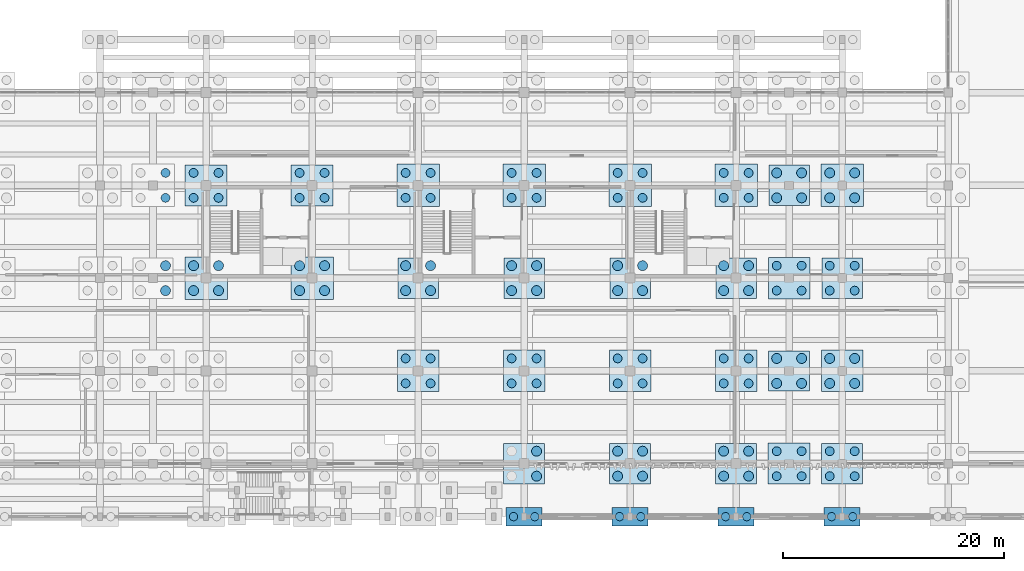
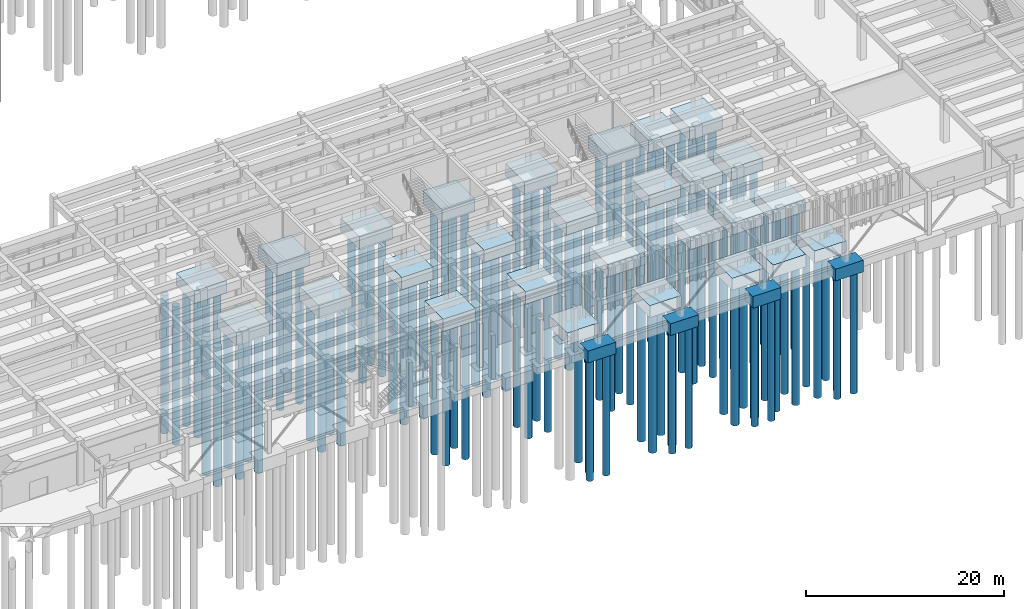
# One storey, part 3 of 102: 118 piles, 31 footings.
"""IFC4 building model written with IfcOpenShell, lengths in metres."""

from ifc_helpers import new_model, si_unit, direction, frame, origin, origin_2d, place, context, subcontext, project, spatial, rectangle, circle, extrude, material, material_profile, profile_set, type_object, element, save


model = new_model("IFC4")

# Units and contexts
model_context = context("Model", 3, precision=1e-05, world=origin(), true_north=direction((0.0, 1.0)))
body_context = subcontext(model_context, "Body", "Model", "MODEL_VIEW")
ifc_project = project(units=[si_unit("LENGTHUNIT", "METRE"), si_unit("AREAUNIT", "SQUARE_METRE"), si_unit("VOLUMEUNIT", "CUBIC_METRE"), si_unit("PLANEANGLEUNIT", "RADIAN"), si_unit("MASSUNIT", "GRAM", prefix="KILO")], contexts=[model_context])

# Site, building, storey
site_placement = place(None, origin())
site = spatial("IfcSite", under=ifc_project, at=site_placement, CompositionType="ELEMENT")
building_placement = place(site_placement, origin())
building = spatial("IfcBuilding", under=site, at=building_placement, Name="Kolvemor Railside Polytechnic", CompositionType="ELEMENT")
storey_placement = place(building_placement, origin())
storey = spatial("IfcBuildingStorey", under=building, at=storey_placement, Name="L00", CompositionType="ELEMENT", Elevation=0.0)

# Footings
ifc_material_1 = material(Name="Concrete C40/50", Category="concrete")
footing_type_1 = type_object("IfcFootingType", Name="FTG-PC-2P-D", PredefinedType="PILE_CAP", material=ifc_material_1)
for number, where, z_axis, x_axis, name in (
    (1, (96.0, 0.0, -1.4501953125), (0.0, 0.0, 1.0), (1.0, 0.0, 0.0), "Pile Cap PC-136"),
    (2, (105.60009765625, 0.0, -1.4501953125), (0.0, 0.0, 1.0), (1.0, 0.0, 0.0), "Pile Cap PC-146"),
    (3, (115.199951171875, 0.0, -1.4501953125), (0.0, 0.0, 1.0), (1.0, 0.0, 0.0), "Pile Cap PC-156"),
    (4, (124.800048828125, 0.0, -1.4501953125), (0.0, 0.0, 1.0), (1.0, 0.0, 0.0), "Pile Cap PC-171"),
):
    element("IfcFooting", number, at=place(storey_placement, frame(where, z_axis=z_axis, x_axis=x_axis)), inside=storey, type_object=footing_type_1, Name=name, PredefinedType="PILE_CAP", context=body_context, shape_type="SweptSolid", body=[
        extrude(rectangle(XDim=3.25, YDim=1.64990234375, at=origin_2d()), origin(), (0.0, 0.0, 1.0), 1.449951171875),
    ])
ifc_material_2 = material(Name="Concrete C40/50", Category="concrete")
footing_type_2 = type_object("IfcFootingType", Name="FTG-PC-4P-A", PredefinedType="PILE_CAP", material=ifc_material_2)
for number, where, z_axis, x_axis, name in (
    (5, (86.39990234375, 13.199951171875, -1.5), (0.0, 0.0, 1.0), (1.0, 0.0, 0.0), "Pile Cap PC-124"),
    (6, (96.0, 13.199951171875, -1.5), (0.0, 0.0, 1.0), (1.0, 0.0, 0.0), "Pile Cap PC-138"),
    (7, (105.60009765625, 13.199951171875, -1.5), (0.0, 0.0, 1.0), (1.0, 0.0, 0.0), "Pile Cap PC-148"),
    (8, (115.199951171875, 13.199951171875, -1.5), (0.0, 0.0, 1.0), (1.0, 0.0, 0.0), "Pile Cap PC-158"),
    (9, (120.0, 21.60009765625, -1.5), (0.0, 0.0, 1.0), (1.0, 0.0, 0.0), "Pile Cap PC-168"),
    (10, (124.800048828125, 13.199951171875, -1.5), (0.0, 0.0, 1.0), (1.0, 0.0, 0.0), "Pile Cap PC-173"),
):
    element("IfcFooting", number, at=place(storey_placement, frame(where, z_axis=z_axis, x_axis=x_axis)), inside=storey, type_object=footing_type_2, Name=name, PredefinedType="PILE_CAP", context=body_context, shape_type="SweptSolid", body=[
        extrude(rectangle(XDim=3.75, YDim=3.75, at=origin_2d()), origin(), (0.0, 0.0, 1.0), 1.5),
    ])
ifc_material_3 = material(Name="Concrete C40/50", Category="concrete")
footing_type_3 = type_object("IfcFootingType", Name="FTG-PC-4P-B", PredefinedType="PILE_CAP", material=ifc_material_3)
for number, where, z_axis, x_axis, name in (
    (11, (86.39990234375, 21.60009765625, -1.5), (0.0, 0.0, 1.0), (1.0, 0.0, 0.0), "Pile Cap PC-125"),
    (12, (96.0, 21.60009765625, -1.5), (0.0, 0.0, 1.0), (1.0, 0.0, 0.0), "Pile Cap PC-139"),
    (13, (105.60009765625, 21.60009765625, -1.5), (0.0, 0.0, 1.0), (1.0, 0.0, 0.0), "Pile Cap PC-149"),
    (14, (115.199951171875, 21.60009765625, -1.5), (0.0, 0.0, 1.0), (1.0, 0.0, 0.0), "Pile Cap PC-159"),
    (15, (120.0, 30.0, -1.5), (0.0, 0.0, 1.0), (1.0, 0.0, 0.0), "Pile Cap PC-169"),
    (16, (124.800048828125, 21.60009765625, -1.5), (0.0, 0.0, 1.0), (1.0, 0.0, 0.0), "Pile Cap PC-174"),
):
    element("IfcFooting", number, at=place(storey_placement, frame(where, z_axis=z_axis, x_axis=x_axis)), inside=storey, type_object=footing_type_3, Name=name, PredefinedType="PILE_CAP", context=body_context, shape_type="SweptSolid", body=[
        extrude(rectangle(XDim=3.64990234375, YDim=3.64990234375, at=origin_2d()), origin(), (0.0, 0.0, 1.0), 1.5),
    ])
ifc_material_4 = material(Name="Concrete C40/50", Category="concrete")
footing_type_4 = type_object("IfcFootingType", Name="FTG-PC-4P-C", PredefinedType="PILE_CAP", material=ifc_material_4)
for number, where, z_axis, x_axis, name in (
    (17, (67.199951171875, 21.60009765625, -1.60009765625), (0.0, 0.0, 1.0), (1.0, 0.0, 0.0), "Pile Cap PC-097"),
    (18, (76.800048828125, 21.60009765625, -1.60009765625), (0.0, 0.0, 1.0), (1.0, 0.0, 0.0), "Pile Cap PC-111"),
    (19, (86.39990234375, 30.0, -1.60009765625), (0.0, 0.0, 1.0), (1.0, 0.0, 0.0), "Pile Cap PC-126"),
    (20, (96.0, 30.0, -1.60009765625), (0.0, 0.0, 1.0), (1.0, 0.0, 0.0), "Pile Cap PC-140"),
    (21, (105.60009765625, 30.0, -1.60009765625), (0.0, 0.0, 1.0), (1.0, 0.0, 0.0), "Pile Cap PC-150"),
    (22, (115.199951171875, 30.0, -1.60009765625), (0.0, 0.0, 1.0), (1.0, 0.0, 0.0), "Pile Cap PC-160"),
    (23, (124.800048828125, 30.0, -1.60009765625), (0.0, 0.0, 1.0), (1.0, 0.0, 0.0), "Pile Cap PC-175"),
):
    element("IfcFooting", number, at=place(storey_placement, frame(where, z_axis=z_axis, x_axis=x_axis)), inside=storey, type_object=footing_type_4, Name=name, PredefinedType="PILE_CAP", context=body_context, shape_type="SweptSolid", body=[
        extrude(rectangle(XDim=3.85009765625, YDim=3.85009765625, at=origin_2d()), origin(), (0.0, 0.0, 1.0), 1.60009765625),
    ])
ifc_material_5 = material(Name="Concrete C40/50", Category="concrete")
footing_type_5 = type_object("IfcFootingType", Name="FTG-PC-4P-D", PredefinedType="PILE_CAP", material=ifc_material_5)
for number, where, z_axis, x_axis, name in (
    (24, (67.199951171875, 30.0, -1.5498046875), (0.0, 0.0, 1.0), (1.0, 0.0, 0.0), "Pile Cap PC-098"),
    (25, (76.800048828125, 30.0, -1.5498046875), (0.0, 0.0, 1.0), (1.0, 0.0, 0.0), "Pile Cap PC-112"),
    (26, (120.0, 4.800048828125, -1.5498046875), (0.0, 0.0, 1.0), (1.0, 0.0, 0.0), "Pile Cap PC-166"),
):
    element("IfcFooting", number, at=place(storey_placement, frame(where, z_axis=z_axis, x_axis=x_axis)), inside=storey, type_object=footing_type_5, Name=name, PredefinedType="PILE_CAP", context=body_context, shape_type="SweptSolid", body=[
        extrude(rectangle(XDim=3.800048828125, YDim=3.699951171875, at=origin_2d()), origin(), (0.0, 0.0, 1.0), 1.550048828125),
    ])
ifc_material_6 = material(Name="Concrete C40/50", Category="concrete")
footing_type_6 = type_object("IfcFootingType", Name="FTG-PC-4P-E", PredefinedType="PILE_CAP", material=ifc_material_6)
for number, where, z_axis, x_axis, name in (
    (27, (96.0, 4.800048828125, -1.4501953125), (0.0, 0.0, 1.0), (1.0, 0.0, 0.0), "Pile Cap PC-137"),
    (28, (105.60009765625, 4.800048828125, -1.4501953125), (0.0, 0.0, 1.0), (1.0, 0.0, 0.0), "Pile Cap PC-147"),
    (29, (115.199951171875, 4.800048828125, -1.4501953125), (0.0, 0.0, 1.0), (1.0, 0.0, 0.0), "Pile Cap PC-157"),
    (30, (120.0, 13.199951171875, -1.4501953125), (0.0, 0.0, 1.0), (1.0, 0.0, 0.0), "Pile Cap PC-167"),
    (31, (124.800048828125, 4.800048828125, -1.4501953125), (0.0, 0.0, 1.0), (1.0, 0.0, 0.0), "Pile Cap PC-172"),
):
    element("IfcFooting", number, at=place(storey_placement, frame(where, z_axis=z_axis, x_axis=x_axis)), inside=storey, type_object=footing_type_6, Name=name, PredefinedType="PILE_CAP", context=body_context, shape_type="SweptSolid", body=[
        extrude(rectangle(XDim=3.699951171875, YDim=3.64990234375, at=origin_2d()), origin(), (0.0, 0.0, 1.0), 1.449951171875),
    ])

# Piles
ifc_material_7 = material(Name="Concrete C40/50", Category="concrete")
ifc_material_profile_1 = material_profile(ifc_material_7, circle(Radius=0.375, at=origin_2d()), Name="BP750")
ifc_profile_set_1 = profile_set([ifc_material_profile_1], Name="Concrete C40/50")
pile_type_1 = type_object("IfcPileType", Name="PIL-BP750", PredefinedType="BORED", material=ifc_profile_set_1)
for number, where, z_axis, x_axis, name in (
    (32, (95.0400390625, 0.0, -1.330078125), (0.0, 0.0, -1.0), (1.0, 0.0, 0.0), "Bored Pile BP750-136-1"),
    (33, (96.9599609375, 0.0, -1.330078125), (0.0, 0.0, -1.0), (1.0, 0.0, 0.0), "Bored Pile BP750-136-2"),
    (34, (104.639892578125, 0.0, -1.330078125), (0.0, 0.0, -1.0), (1.0, 0.0, 0.0), "Bored Pile BP750-146-1"),
    (35, (106.56005859375, 0.0, -1.330078125), (0.0, 0.0, -1.0), (1.0, 0.0, 0.0), "Bored Pile BP750-146-2"),
    (36, (114.239990234375, 0.0, -1.330078125), (0.0, 0.0, -1.0), (1.0, 0.0, 0.0), "Bored Pile BP750-156-1"),
    (37, (116.159912109375, 0.0, -1.330078125), (0.0, 0.0, -1.0), (1.0, 0.0, 0.0), "Bored Pile BP750-156-2"),
    (38, (123.840087890625, 0.0, -1.330078125), (0.0, 0.0, -1.0), (1.0, 0.0, 0.0), "Bored Pile BP750-171-1"),
    (39, (125.760009765625, 0.0, -1.330078125), (0.0, 0.0, -1.0), (1.0, 0.0, 0.0), "Bored Pile BP750-171-2"),
):
    element("IfcPile", number, at=place(storey_placement, frame(where, z_axis=z_axis, x_axis=x_axis)), inside=storey, type_object=pile_type_1, Name=name, PredefinedType="BORED", context=body_context, shape_type="SweptSolid", body=[
        extrude(circle(Radius=0.375, at=origin_2d()), origin(), (0.0, 0.0, 1.0), 15.169921875),
    ])
ifc_material_8 = material(Name="Concrete C40/50", Category="concrete")
ifc_material_profile_2 = material_profile(ifc_material_8, circle(Radius=0.39990234375, at=origin_2d()), Name="BP800")
ifc_profile_set_2 = profile_set([ifc_material_profile_2], Name="Concrete C40/50")
pile_type_2 = type_object("IfcPileType", Name="PIL-BP800", PredefinedType="BORED", material=ifc_profile_set_2)
for number, where, z_axis, x_axis, name in (
    (40, (63.530029296875, 28.8701171875, -1.47998046875), (0.0, 0.0, -1.0), (1.0, 0.0, 0.0), "Bored Pile PIL-BP800-092-3"),
    (41, (63.530029296875, 31.1298828125, -1.47998046875), (0.0, 0.0, -1.0), (1.0, 0.0, 0.0), "Bored Pile PIL-BP800-092-4"),
):
    element("IfcPile", number, at=place(storey_placement, frame(where, z_axis=z_axis, x_axis=x_axis)), inside=storey, type_object=pile_type_2, Name=name, PredefinedType="BORED", context=body_context, shape_type="SweptSolid", body=[
        extrude(circle(Radius=0.39990234375, at=origin_2d()), origin(), (0.0, 0.0, 1.0), 17.02001953125),
    ])
for number, where, z_axis, x_axis, name in (
    (42, (66.070068359375, 28.8701171875, -1.429931640625), (0.0, 0.0, -1.0), (1.0, 0.0, 0.0), "Bored Pile PIL-BP800-098-1"),
    (43, (66.070068359375, 31.1298828125, -1.429931640625), (0.0, 0.0, -1.0), (1.0, 0.0, 0.0), "Bored Pile PIL-BP800-098-2"),
    (44, (68.330078125, 28.8701171875, -1.429931640625), (0.0, 0.0, -1.0), (1.0, 0.0, 0.0), "Bored Pile PIL-BP800-098-3"),
    (45, (68.330078125, 31.1298828125, -1.429931640625), (0.0, 0.0, -1.0), (1.0, 0.0, 0.0), "Bored Pile PIL-BP800-098-4"),
    (46, (75.669921875, 28.8701171875, -1.429931640625), (0.0, 0.0, -1.0), (1.0, 0.0, 0.0), "Bored Pile PIL-BP800-112-1"),
    (47, (75.669921875, 31.1298828125, -1.429931640625), (0.0, 0.0, -1.0), (1.0, 0.0, 0.0), "Bored Pile PIL-BP800-112-2"),
    (48, (77.929931640625, 28.8701171875, -1.429931640625), (0.0, 0.0, -1.0), (1.0, 0.0, 0.0), "Bored Pile PIL-BP800-112-3"),
    (49, (77.929931640625, 31.1298828125, -1.429931640625), (0.0, 0.0, -1.0), (1.0, 0.0, 0.0), "Bored Pile PIL-BP800-112-4"),
):
    element("IfcPile", number, at=place(storey_placement, frame(where, z_axis=z_axis, x_axis=x_axis)), inside=storey, type_object=pile_type_2, Name=name, PredefinedType="BORED", context=body_context, shape_type="SweptSolid", body=[
        extrude(circle(Radius=0.39990234375, at=origin_2d()), origin(), (0.0, 0.0, 1.0), 17.070068359375),
    ])
for number, where, z_axis, x_axis, name in (
    (50, (85.27001953125, 12.070068359375, -1.3798828125), (0.0, 0.0, -1.0), (1.0, 0.0, 0.0), "Bored Pile PIL-BP800-124-1"),
    (51, (85.27001953125, 14.330078125, -1.3798828125), (0.0, 0.0, -1.0), (1.0, 0.0, 0.0), "Bored Pile PIL-BP800-124-2"),
    (52, (87.530029296875, 12.070068359375, -1.3798828125), (0.0, 0.0, -1.0), (1.0, 0.0, 0.0), "Bored Pile PIL-BP800-124-3"),
    (53, (87.530029296875, 14.330078125, -1.3798828125), (0.0, 0.0, -1.0), (1.0, 0.0, 0.0), "Bored Pile PIL-BP800-124-4"),
):
    element("IfcPile", number, at=place(storey_placement, frame(where, z_axis=z_axis, x_axis=x_axis)), inside=storey, type_object=pile_type_2, Name=name, PredefinedType="BORED", context=body_context, shape_type="SweptSolid", body=[
        extrude(circle(Radius=0.39990234375, at=origin_2d()), origin(), (0.0, 0.0, 1.0), 17.1201171875),
    ])
for number, where, z_axis, x_axis, name in (
    (54, (85.27001953125, 28.8701171875, -1.47998046875), (0.0, 0.0, -1.0), (1.0, 0.0, 0.0), "Bored Pile PIL-BP800-126-1"),
    (55, (85.27001953125, 31.1298828125, -1.47998046875), (0.0, 0.0, -1.0), (1.0, 0.0, 0.0), "Bored Pile PIL-BP800-126-2"),
    (56, (87.530029296875, 28.8701171875, -1.47998046875), (0.0, 0.0, -1.0), (1.0, 0.0, 0.0), "Bored Pile PIL-BP800-126-3"),
    (57, (87.530029296875, 31.1298828125, -1.47998046875), (0.0, 0.0, -1.0), (1.0, 0.0, 0.0), "Bored Pile PIL-BP800-126-4"),
):
    element("IfcPile", number, at=place(storey_placement, frame(where, z_axis=z_axis, x_axis=x_axis)), inside=storey, type_object=pile_type_2, Name=name, PredefinedType="BORED", context=body_context, shape_type="SweptSolid", body=[
        extrude(circle(Radius=0.39990234375, at=origin_2d()), origin(), (0.0, 0.0, 1.0), 17.02001953125),
    ])
for number, where, z_axis, x_axis, name in (
    (58, (94.8701171875, 12.070068359375, -1.3798828125), (0.0, 0.0, -1.0), (1.0, 0.0, 0.0), "Bored Pile PIL-BP800-138-1"),
    (59, (94.8701171875, 14.330078125, -1.3798828125), (0.0, 0.0, -1.0), (1.0, 0.0, 0.0), "Bored Pile PIL-BP800-138-2"),
    (60, (97.1298828125, 12.070068359375, -1.3798828125), (0.0, 0.0, -1.0), (1.0, 0.0, 0.0), "Bored Pile PIL-BP800-138-3"),
    (61, (97.1298828125, 14.330078125, -1.3798828125), (0.0, 0.0, -1.0), (1.0, 0.0, 0.0), "Bored Pile PIL-BP800-138-4"),
):
    element("IfcPile", number, at=place(storey_placement, frame(where, z_axis=z_axis, x_axis=x_axis)), inside=storey, type_object=pile_type_2, Name=name, PredefinedType="BORED", context=body_context, shape_type="SweptSolid", body=[
        extrude(circle(Radius=0.39990234375, at=origin_2d()), origin(), (0.0, 0.0, 1.0), 17.1201171875),
    ])
for number, where, z_axis, x_axis, name in (
    (62, (94.8701171875, 28.8701171875, -1.47998046875), (0.0, 0.0, -1.0), (1.0, 0.0, 0.0), "Bored Pile PIL-BP800-140-1"),
    (63, (94.8701171875, 31.1298828125, -1.47998046875), (0.0, 0.0, -1.0), (1.0, 0.0, 0.0), "Bored Pile PIL-BP800-140-2"),
    (64, (97.1298828125, 28.8701171875, -1.47998046875), (0.0, 0.0, -1.0), (1.0, 0.0, 0.0), "Bored Pile PIL-BP800-140-3"),
    (65, (97.1298828125, 31.1298828125, -1.47998046875), (0.0, 0.0, -1.0), (1.0, 0.0, 0.0), "Bored Pile PIL-BP800-140-4"),
):
    element("IfcPile", number, at=place(storey_placement, frame(where, z_axis=z_axis, x_axis=x_axis)), inside=storey, type_object=pile_type_2, Name=name, PredefinedType="BORED", context=body_context, shape_type="SweptSolid", body=[
        extrude(circle(Radius=0.39990234375, at=origin_2d()), origin(), (0.0, 0.0, 1.0), 17.02001953125),
    ])
for number, where, z_axis, x_axis, name in (
    (66, (104.469970703125, 12.070068359375, -1.3798828125), (0.0, 0.0, -1.0), (1.0, 0.0, 0.0), "Bored Pile PIL-BP800-148-1"),
    (67, (104.469970703125, 14.330078125, -1.3798828125), (0.0, 0.0, -1.0), (1.0, 0.0, 0.0), "Bored Pile PIL-BP800-148-2"),
    (68, (106.72998046875, 12.070068359375, -1.3798828125), (0.0, 0.0, -1.0), (1.0, 0.0, 0.0), "Bored Pile PIL-BP800-148-3"),
    (69, (106.72998046875, 14.330078125, -1.3798828125), (0.0, 0.0, -1.0), (1.0, 0.0, 0.0), "Bored Pile PIL-BP800-148-4"),
):
    element("IfcPile", number, at=place(storey_placement, frame(where, z_axis=z_axis, x_axis=x_axis)), inside=storey, type_object=pile_type_2, Name=name, PredefinedType="BORED", context=body_context, shape_type="SweptSolid", body=[
        extrude(circle(Radius=0.39990234375, at=origin_2d()), origin(), (0.0, 0.0, 1.0), 17.1201171875),
    ])
for number, where, z_axis, x_axis, name in (
    (70, (104.469970703125, 28.8701171875, -1.47998046875), (0.0, 0.0, -1.0), (1.0, 0.0, 0.0), "Bored Pile PIL-BP800-150-1"),
    (71, (104.469970703125, 31.1298828125, -1.47998046875), (0.0, 0.0, -1.0), (1.0, 0.0, 0.0), "Bored Pile PIL-BP800-150-2"),
    (72, (106.72998046875, 28.8701171875, -1.47998046875), (0.0, 0.0, -1.0), (1.0, 0.0, 0.0), "Bored Pile PIL-BP800-150-3"),
    (73, (106.72998046875, 31.1298828125, -1.47998046875), (0.0, 0.0, -1.0), (1.0, 0.0, 0.0), "Bored Pile PIL-BP800-150-4"),
):
    element("IfcPile", number, at=place(storey_placement, frame(where, z_axis=z_axis, x_axis=x_axis)), inside=storey, type_object=pile_type_2, Name=name, PredefinedType="BORED", context=body_context, shape_type="SweptSolid", body=[
        extrude(circle(Radius=0.39990234375, at=origin_2d()), origin(), (0.0, 0.0, 1.0), 17.02001953125),
    ])
for number, where, z_axis, x_axis, name in (
    (74, (114.070068359375, 12.070068359375, -1.3798828125), (0.0, 0.0, -1.0), (1.0, 0.0, 0.0), "Bored Pile PIL-BP800-158-1"),
    (75, (114.070068359375, 14.330078125, -1.3798828125), (0.0, 0.0, -1.0), (1.0, 0.0, 0.0), "Bored Pile PIL-BP800-158-2"),
    (76, (116.330078125, 12.070068359375, -1.3798828125), (0.0, 0.0, -1.0), (1.0, 0.0, 0.0), "Bored Pile PIL-BP800-158-3"),
    (77, (116.330078125, 14.330078125, -1.3798828125), (0.0, 0.0, -1.0), (1.0, 0.0, 0.0), "Bored Pile PIL-BP800-158-4"),
):
    element("IfcPile", number, at=place(storey_placement, frame(where, z_axis=z_axis, x_axis=x_axis)), inside=storey, type_object=pile_type_2, Name=name, PredefinedType="BORED", context=body_context, shape_type="SweptSolid", body=[
        extrude(circle(Radius=0.39990234375, at=origin_2d()), origin(), (0.0, 0.0, 1.0), 17.1201171875),
    ])
for number, where, z_axis, x_axis, name in (
    (78, (114.070068359375, 28.8701171875, -1.47998046875), (0.0, 0.0, -1.0), (1.0, 0.0, 0.0), "Bored Pile PIL-BP800-160-1"),
    (79, (114.070068359375, 31.1298828125, -1.47998046875), (0.0, 0.0, -1.0), (1.0, 0.0, 0.0), "Bored Pile PIL-BP800-160-2"),
    (80, (116.330078125, 28.8701171875, -1.47998046875), (0.0, 0.0, -1.0), (1.0, 0.0, 0.0), "Bored Pile PIL-BP800-160-3"),
    (81, (116.330078125, 31.1298828125, -1.47998046875), (0.0, 0.0, -1.0), (1.0, 0.0, 0.0), "Bored Pile PIL-BP800-160-4"),
):
    element("IfcPile", number, at=place(storey_placement, frame(where, z_axis=z_axis, x_axis=x_axis)), inside=storey, type_object=pile_type_2, Name=name, PredefinedType="BORED", context=body_context, shape_type="SweptSolid", body=[
        extrude(circle(Radius=0.39990234375, at=origin_2d()), origin(), (0.0, 0.0, 1.0), 17.02001953125),
    ])
for number, where, z_axis, x_axis, name in (
    (82, (118.8701171875, 3.669921875, -1.429931640625), (0.0, 0.0, -1.0), (1.0, 0.0, 0.0), "Bored Pile PIL-BP800-166-1"),
    (83, (118.8701171875, 5.929931640625, -1.429931640625), (0.0, 0.0, -1.0), (1.0, 0.0, 0.0), "Bored Pile PIL-BP800-166-2"),
    (84, (121.1298828125, 3.669921875, -1.429931640625), (0.0, 0.0, -1.0), (1.0, 0.0, 0.0), "Bored Pile PIL-BP800-166-3"),
    (85, (121.1298828125, 5.929931640625, -1.429931640625), (0.0, 0.0, -1.0), (1.0, 0.0, 0.0), "Bored Pile PIL-BP800-166-4"),
):
    element("IfcPile", number, at=place(storey_placement, frame(where, z_axis=z_axis, x_axis=x_axis)), inside=storey, type_object=pile_type_2, Name=name, PredefinedType="BORED", context=body_context, shape_type="SweptSolid", body=[
        extrude(circle(Radius=0.39990234375, at=origin_2d()), origin(), (0.0, 0.0, 1.0), 17.070068359375),
    ])
for number, where, z_axis, x_axis, name in (
    (86, (118.8701171875, 20.469970703125, -1.3798828125), (0.0, 0.0, -1.0), (1.0, 0.0, 0.0), "Bored Pile PIL-BP800-168-1"),
    (87, (118.8701171875, 22.72998046875, -1.3798828125), (0.0, 0.0, -1.0), (1.0, 0.0, 0.0), "Bored Pile PIL-BP800-168-2"),
    (88, (121.1298828125, 20.469970703125, -1.3798828125), (0.0, 0.0, -1.0), (1.0, 0.0, 0.0), "Bored Pile PIL-BP800-168-3"),
    (89, (121.1298828125, 22.72998046875, -1.3798828125), (0.0, 0.0, -1.0), (1.0, 0.0, 0.0), "Bored Pile PIL-BP800-168-4"),
):
    element("IfcPile", number, at=place(storey_placement, frame(where, z_axis=z_axis, x_axis=x_axis)), inside=storey, type_object=pile_type_2, Name=name, PredefinedType="BORED", context=body_context, shape_type="SweptSolid", body=[
        extrude(circle(Radius=0.39990234375, at=origin_2d()), origin(), (0.0, 0.0, 1.0), 17.1201171875),
    ])
for number, where, z_axis, x_axis, name in (
    (90, (123.669921875, 3.669921875, -1.330078125), (0.0, 0.0, -1.0), (1.0, 0.0, 0.0), "Bored Pile PIL-BP800-172-1"),
    (91, (123.669921875, 5.929931640625, -1.330078125), (0.0, 0.0, -1.0), (1.0, 0.0, 0.0), "Bored Pile PIL-BP800-172-2"),
    (92, (125.929931640625, 3.669921875, -1.330078125), (0.0, 0.0, -1.0), (1.0, 0.0, 0.0), "Bored Pile PIL-BP800-172-3"),
    (93, (125.929931640625, 5.929931640625, -1.330078125), (0.0, 0.0, -1.0), (1.0, 0.0, 0.0), "Bored Pile PIL-BP800-172-4"),
):
    element("IfcPile", number, at=place(storey_placement, frame(where, z_axis=z_axis, x_axis=x_axis)), inside=storey, type_object=pile_type_2, Name=name, PredefinedType="BORED", context=body_context, shape_type="SweptSolid", body=[
        extrude(circle(Radius=0.39990234375, at=origin_2d()), origin(), (0.0, 0.0, 1.0), 17.169921875),
    ])
for number, where, z_axis, x_axis, name in (
    (94, (123.669921875, 20.469970703125, -1.3798828125), (0.0, 0.0, -1.0), (1.0, 0.0, 0.0), "Bored Pile PIL-BP800-174-1"),
    (95, (123.669921875, 22.72998046875, -1.3798828125), (0.0, 0.0, -1.0), (1.0, 0.0, 0.0), "Bored Pile PIL-BP800-174-2"),
    (96, (125.929931640625, 20.469970703125, -1.3798828125), (0.0, 0.0, -1.0), (1.0, 0.0, 0.0), "Bored Pile PIL-BP800-174-3"),
    (97, (125.929931640625, 22.72998046875, -1.3798828125), (0.0, 0.0, -1.0), (1.0, 0.0, 0.0), "Bored Pile PIL-BP800-174-4"),
):
    element("IfcPile", number, at=place(storey_placement, frame(where, z_axis=z_axis, x_axis=x_axis)), inside=storey, type_object=pile_type_2, Name=name, PredefinedType="BORED", context=body_context, shape_type="SweptSolid", body=[
        extrude(circle(Radius=0.39990234375, at=origin_2d()), origin(), (0.0, 0.0, 1.0), 17.1201171875),
    ])
ifc_material_9 = material(Name="Concrete C40/50", Category="concrete")
ifc_material_profile_3 = material_profile(ifc_material_9, circle(Radius=0.449951171875, at=origin_2d()), Name="BP900")
ifc_profile_set_3 = profile_set([ifc_material_profile_3], Name="Concrete C40/50")
pile_type_3 = type_object("IfcPileType", Name="PIL-BP900", PredefinedType="BORED", material=ifc_profile_set_3)
for number, where, z_axis, x_axis, name in (
    (98, (63.530029296875, 20.469970703125, -1.3798828125), (0.0, 0.0, -1.0), (1.0, 0.0, 0.0), "Bored Pile PIL-BP900-091-3"),
    (99, (63.530029296875, 22.72998046875, -1.3798828125), (0.0, 0.0, -1.0), (1.0, 0.0, 0.0), "Bored Pile PIL-BP900-091-4"),
):
    element("IfcPile", number, at=place(storey_placement, frame(where, z_axis=z_axis, x_axis=x_axis)), inside=storey, type_object=pile_type_3, Name=name, PredefinedType="BORED", context=body_context, shape_type="SweptSolid", body=[
        extrude(circle(Radius=0.449951171875, at=origin_2d()), origin(), (0.0, 0.0, 1.0), 17.1201171875),
    ])
for number, where, z_axis, x_axis, name in (
    (100, (66.070068359375, 20.469970703125, -1.47998046875), (0.0, 0.0, -1.0), (1.0, 0.0, 0.0), "Bored Pile PIL-BP900-097-1"),
    (101, (66.070068359375, 22.72998046875, -1.47998046875), (0.0, 0.0, -1.0), (1.0, 0.0, 0.0), "Bored Pile PIL-BP900-097-2"),
    (102, (68.330078125, 20.469970703125, -1.47998046875), (0.0, 0.0, -1.0), (1.0, 0.0, 0.0), "Bored Pile PIL-BP900-097-3"),
    (103, (68.330078125, 22.72998046875, -1.47998046875), (0.0, 0.0, -1.0), (1.0, 0.0, 0.0), "Bored Pile PIL-BP900-097-4"),
    (104, (75.669921875, 20.469970703125, -1.47998046875), (0.0, 0.0, -1.0), (1.0, 0.0, 0.0), "Bored Pile PIL-BP900-111-1"),
    (105, (75.669921875, 22.72998046875, -1.47998046875), (0.0, 0.0, -1.0), (1.0, 0.0, 0.0), "Bored Pile PIL-BP900-111-2"),
    (106, (77.929931640625, 20.469970703125, -1.47998046875), (0.0, 0.0, -1.0), (1.0, 0.0, 0.0), "Bored Pile PIL-BP900-111-3"),
    (107, (77.929931640625, 22.72998046875, -1.47998046875), (0.0, 0.0, -1.0), (1.0, 0.0, 0.0), "Bored Pile PIL-BP900-111-4"),
):
    element("IfcPile", number, at=place(storey_placement, frame(where, z_axis=z_axis, x_axis=x_axis)), inside=storey, type_object=pile_type_3, Name=name, PredefinedType="BORED", context=body_context, shape_type="SweptSolid", body=[
        extrude(circle(Radius=0.449951171875, at=origin_2d()), origin(), (0.0, 0.0, 1.0), 17.02001953125),
    ])
for number, where, z_axis, x_axis, name in (
    (108, (85.27001953125, 20.469970703125, -1.3798828125), (0.0, 0.0, -1.0), (1.0, 0.0, 0.0), "Bored Pile PIL-BP900-125-1"),
    (109, (85.27001953125, 22.72998046875, -1.3798828125), (0.0, 0.0, -1.0), (1.0, 0.0, 0.0), "Bored Pile PIL-BP900-125-2"),
    (110, (87.530029296875, 20.469970703125, -1.3798828125), (0.0, 0.0, -1.0), (1.0, 0.0, 0.0), "Bored Pile PIL-BP900-125-3"),
    (111, (87.530029296875, 22.72998046875, -1.3798828125), (0.0, 0.0, -1.0), (1.0, 0.0, 0.0), "Bored Pile PIL-BP900-125-4"),
):
    element("IfcPile", number, at=place(storey_placement, frame(where, z_axis=z_axis, x_axis=x_axis)), inside=storey, type_object=pile_type_3, Name=name, PredefinedType="BORED", context=body_context, shape_type="SweptSolid", body=[
        extrude(circle(Radius=0.449951171875, at=origin_2d()), origin(), (0.0, 0.0, 1.0), 17.1201171875),
    ])
for number, where, z_axis, x_axis, name in (
    (112, (97.1298828125, 3.669921875, -1.330078125), (0.0, 0.0, -1.0), (1.0, 0.0, 0.0), "Bored Pile PIL-BP900-137-3"),
    (113, (97.1298828125, 5.929931640625, -1.330078125), (0.0, 0.0, -1.0), (1.0, 0.0, 0.0), "Bored Pile PIL-BP900-137-4"),
):
    element("IfcPile", number, at=place(storey_placement, frame(where, z_axis=z_axis, x_axis=x_axis)), inside=storey, type_object=pile_type_3, Name=name, PredefinedType="BORED", context=body_context, shape_type="SweptSolid", body=[
        extrude(circle(Radius=0.449951171875, at=origin_2d()), origin(), (0.0, 0.0, 1.0), 17.169921875),
    ])
for number, where, z_axis, x_axis, name in (
    (114, (94.8701171875, 20.469970703125, -1.3798828125), (0.0, 0.0, -1.0), (1.0, 0.0, 0.0), "Bored Pile PIL-BP900-139-1"),
    (115, (94.8701171875, 22.72998046875, -1.3798828125), (0.0, 0.0, -1.0), (1.0, 0.0, 0.0), "Bored Pile PIL-BP900-139-2"),
    (116, (97.1298828125, 20.469970703125, -1.3798828125), (0.0, 0.0, -1.0), (1.0, 0.0, 0.0), "Bored Pile PIL-BP900-139-3"),
    (117, (97.1298828125, 22.72998046875, -1.3798828125), (0.0, 0.0, -1.0), (1.0, 0.0, 0.0), "Bored Pile PIL-BP900-139-4"),
):
    element("IfcPile", number, at=place(storey_placement, frame(where, z_axis=z_axis, x_axis=x_axis)), inside=storey, type_object=pile_type_3, Name=name, PredefinedType="BORED", context=body_context, shape_type="SweptSolid", body=[
        extrude(circle(Radius=0.449951171875, at=origin_2d()), origin(), (0.0, 0.0, 1.0), 17.1201171875),
    ])
for number, where, z_axis, x_axis, name in (
    (118, (104.469970703125, 3.669921875, -1.330078125), (0.0, 0.0, -1.0), (1.0, 0.0, 0.0), "Bored Pile PIL-BP900-147-1"),
    (119, (104.469970703125, 5.929931640625, -1.330078125), (0.0, 0.0, -1.0), (1.0, 0.0, 0.0), "Bored Pile PIL-BP900-147-2"),
    (120, (106.72998046875, 3.669921875, -1.330078125), (0.0, 0.0, -1.0), (1.0, 0.0, 0.0), "Bored Pile PIL-BP900-147-3"),
    (121, (106.72998046875, 5.929931640625, -1.330078125), (0.0, 0.0, -1.0), (1.0, 0.0, 0.0), "Bored Pile PIL-BP900-147-4"),
):
    element("IfcPile", number, at=place(storey_placement, frame(where, z_axis=z_axis, x_axis=x_axis)), inside=storey, type_object=pile_type_3, Name=name, PredefinedType="BORED", context=body_context, shape_type="SweptSolid", body=[
        extrude(circle(Radius=0.449951171875, at=origin_2d()), origin(), (0.0, 0.0, 1.0), 17.169921875),
    ])
for number, where, z_axis, x_axis, name in (
    (122, (104.469970703125, 20.469970703125, -1.3798828125), (0.0, 0.0, -1.0), (1.0, 0.0, 0.0), "Bored Pile PIL-BP900-149-1"),
    (123, (104.469970703125, 22.72998046875, -1.3798828125), (0.0, 0.0, -1.0), (1.0, 0.0, 0.0), "Bored Pile PIL-BP900-149-2"),
    (124, (106.72998046875, 20.469970703125, -1.3798828125), (0.0, 0.0, -1.0), (1.0, 0.0, 0.0), "Bored Pile PIL-BP900-149-3"),
    (125, (106.72998046875, 22.72998046875, -1.3798828125), (0.0, 0.0, -1.0), (1.0, 0.0, 0.0), "Bored Pile PIL-BP900-149-4"),
):
    element("IfcPile", number, at=place(storey_placement, frame(where, z_axis=z_axis, x_axis=x_axis)), inside=storey, type_object=pile_type_3, Name=name, PredefinedType="BORED", context=body_context, shape_type="SweptSolid", body=[
        extrude(circle(Radius=0.449951171875, at=origin_2d()), origin(), (0.0, 0.0, 1.0), 17.1201171875),
    ])
for number, where, z_axis, x_axis, name in (
    (126, (114.070068359375, 3.669921875, -1.330078125), (0.0, 0.0, -1.0), (1.0, 0.0, 0.0), "Bored Pile PIL-BP900-157-1"),
    (127, (114.070068359375, 5.929931640625, -1.330078125), (0.0, 0.0, -1.0), (1.0, 0.0, 0.0), "Bored Pile PIL-BP900-157-2"),
    (128, (116.330078125, 3.669921875, -1.330078125), (0.0, 0.0, -1.0), (1.0, 0.0, 0.0), "Bored Pile PIL-BP900-157-3"),
    (129, (116.330078125, 5.929931640625, -1.330078125), (0.0, 0.0, -1.0), (1.0, 0.0, 0.0), "Bored Pile PIL-BP900-157-4"),
):
    element("IfcPile", number, at=place(storey_placement, frame(where, z_axis=z_axis, x_axis=x_axis)), inside=storey, type_object=pile_type_3, Name=name, PredefinedType="BORED", context=body_context, shape_type="SweptSolid", body=[
        extrude(circle(Radius=0.449951171875, at=origin_2d()), origin(), (0.0, 0.0, 1.0), 17.169921875),
    ])
for number, where, z_axis, x_axis, name in (
    (130, (114.070068359375, 20.469970703125, -1.3798828125), (0.0, 0.0, -1.0), (1.0, 0.0, 0.0), "Bored Pile PIL-BP900-159-1"),
    (131, (114.070068359375, 22.72998046875, -1.3798828125), (0.0, 0.0, -1.0), (1.0, 0.0, 0.0), "Bored Pile PIL-BP900-159-2"),
    (132, (116.330078125, 20.469970703125, -1.3798828125), (0.0, 0.0, -1.0), (1.0, 0.0, 0.0), "Bored Pile PIL-BP900-159-3"),
    (133, (116.330078125, 22.72998046875, -1.3798828125), (0.0, 0.0, -1.0), (1.0, 0.0, 0.0), "Bored Pile PIL-BP900-159-4"),
):
    element("IfcPile", number, at=place(storey_placement, frame(where, z_axis=z_axis, x_axis=x_axis)), inside=storey, type_object=pile_type_3, Name=name, PredefinedType="BORED", context=body_context, shape_type="SweptSolid", body=[
        extrude(circle(Radius=0.449951171875, at=origin_2d()), origin(), (0.0, 0.0, 1.0), 17.1201171875),
    ])
for number, where, z_axis, x_axis, name in (
    (134, (118.8701171875, 12.070068359375, -1.330078125), (0.0, 0.0, -1.0), (1.0, 0.0, 0.0), "Bored Pile PIL-BP900-167-1"),
    (135, (118.8701171875, 14.330078125, -1.330078125), (0.0, 0.0, -1.0), (1.0, 0.0, 0.0), "Bored Pile PIL-BP900-167-2"),
    (136, (121.1298828125, 12.070068359375, -1.330078125), (0.0, 0.0, -1.0), (1.0, 0.0, 0.0), "Bored Pile PIL-BP900-167-3"),
    (137, (121.1298828125, 14.330078125, -1.330078125), (0.0, 0.0, -1.0), (1.0, 0.0, 0.0), "Bored Pile PIL-BP900-167-4"),
):
    element("IfcPile", number, at=place(storey_placement, frame(where, z_axis=z_axis, x_axis=x_axis)), inside=storey, type_object=pile_type_3, Name=name, PredefinedType="BORED", context=body_context, shape_type="SweptSolid", body=[
        extrude(circle(Radius=0.449951171875, at=origin_2d()), origin(), (0.0, 0.0, 1.0), 17.169921875),
    ])
for number, where, z_axis, x_axis, name in (
    (138, (118.8701171875, 28.8701171875, -1.3798828125), (0.0, 0.0, -1.0), (1.0, 0.0, 0.0), "Bored Pile PIL-BP900-169-1"),
    (139, (118.8701171875, 31.1298828125, -1.3798828125), (0.0, 0.0, -1.0), (1.0, 0.0, 0.0), "Bored Pile PIL-BP900-169-2"),
    (140, (121.1298828125, 28.8701171875, -1.3798828125), (0.0, 0.0, -1.0), (1.0, 0.0, 0.0), "Bored Pile PIL-BP900-169-3"),
    (141, (121.1298828125, 31.1298828125, -1.3798828125), (0.0, 0.0, -1.0), (1.0, 0.0, 0.0), "Bored Pile PIL-BP900-169-4"),
    (142, (123.669921875, 12.070068359375, -1.3798828125), (0.0, 0.0, -1.0), (1.0, 0.0, 0.0), "Bored Pile PIL-BP900-173-1"),
    (143, (123.669921875, 14.330078125, -1.3798828125), (0.0, 0.0, -1.0), (1.0, 0.0, 0.0), "Bored Pile PIL-BP900-173-2"),
    (144, (125.929931640625, 12.070068359375, -1.3798828125), (0.0, 0.0, -1.0), (1.0, 0.0, 0.0), "Bored Pile PIL-BP900-173-3"),
    (145, (125.929931640625, 14.330078125, -1.3798828125), (0.0, 0.0, -1.0), (1.0, 0.0, 0.0), "Bored Pile PIL-BP900-173-4"),
):
    element("IfcPile", number, at=place(storey_placement, frame(where, z_axis=z_axis, x_axis=x_axis)), inside=storey, type_object=pile_type_3, Name=name, PredefinedType="BORED", context=body_context, shape_type="SweptSolid", body=[
        extrude(circle(Radius=0.449951171875, at=origin_2d()), origin(), (0.0, 0.0, 1.0), 17.1201171875),
    ])
for number, where, z_axis, x_axis, name in (
    (146, (123.669921875, 28.8701171875, -1.47998046875), (0.0, 0.0, -1.0), (1.0, 0.0, 0.0), "Bored Pile PIL-BP900-175-1"),
    (147, (123.669921875, 31.1298828125, -1.47998046875), (0.0, 0.0, -1.0), (1.0, 0.0, 0.0), "Bored Pile PIL-BP900-175-2"),
    (148, (125.929931640625, 28.8701171875, -1.47998046875), (0.0, 0.0, -1.0), (1.0, 0.0, 0.0), "Bored Pile PIL-BP900-175-3"),
    (149, (125.929931640625, 31.1298828125, -1.47998046875), (0.0, 0.0, -1.0), (1.0, 0.0, 0.0), "Bored Pile PIL-BP900-175-4"),
):
    element("IfcPile", number, at=place(storey_placement, frame(where, z_axis=z_axis, x_axis=x_axis)), inside=storey, type_object=pile_type_3, Name=name, PredefinedType="BORED", context=body_context, shape_type="SweptSolid", body=[
        extrude(circle(Radius=0.449951171875, at=origin_2d()), origin(), (0.0, 0.0, 1.0), 17.02001953125),
    ])

save(model, "model.ifc")
